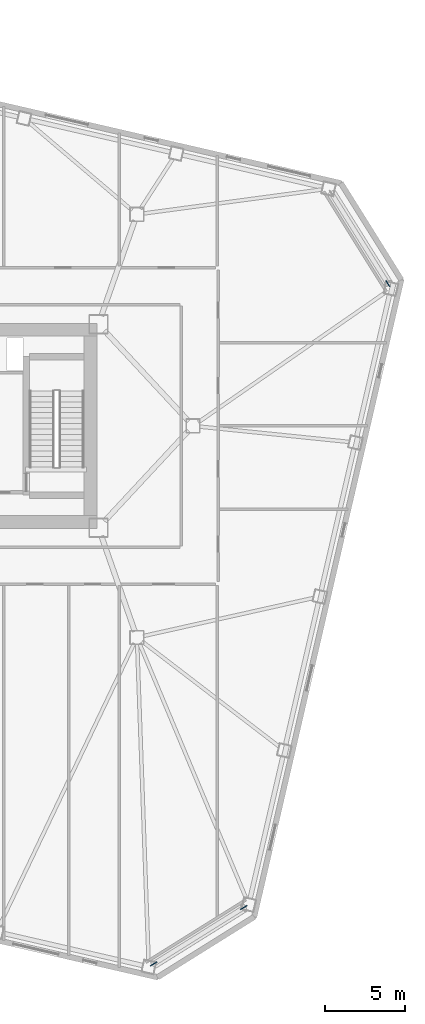
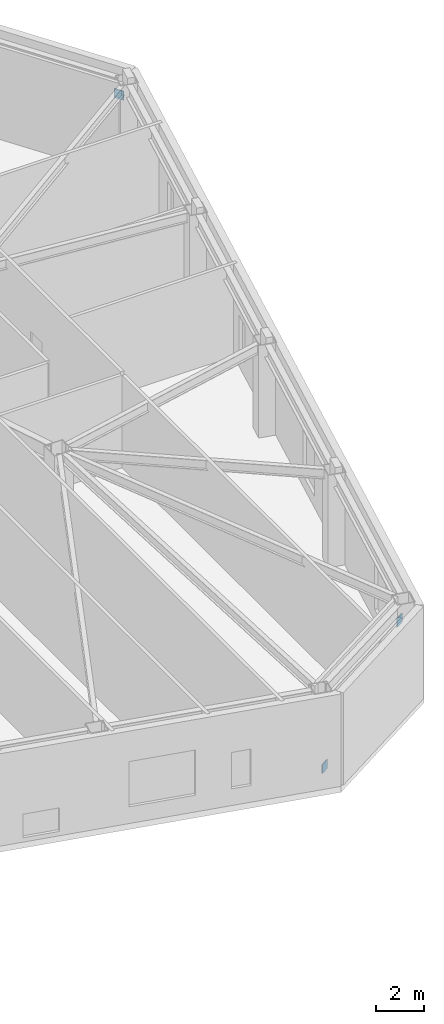
# One storey, part 17 of 20: 3 discrete accessories.
"""IFC4 building model written with IfcOpenShell, lengths in metres."""

from ifc_helpers import new_model, si_unit, direction, frame, origin, origin_2d, place, context, subcontext, project, spatial, rectangle, extrude, material, type_object, element, save


model = new_model("IFC4")

# Units and contexts
model_context = context("Model", 3, precision=1e-05, world=origin(), true_north=direction((0.0, 1.0)))
body_context = subcontext(model_context, "Body", "Model", "MODEL_VIEW")
ifc_project = project(units=[si_unit("LENGTHUNIT", "METRE"), si_unit("AREAUNIT", "SQUARE_METRE"), si_unit("VOLUMEUNIT", "CUBIC_METRE"), si_unit("PLANEANGLEUNIT", "RADIAN"), si_unit("MASSUNIT", "GRAM", prefix="KILO")], contexts=[model_context])

# Site, building, storey
site_placement = place(None, origin())
site = spatial("IfcSite", under=ifc_project, at=site_placement, CompositionType="ELEMENT")
building_placement = place(site_placement, origin())
building = spatial("IfcBuilding", under=site, at=building_placement, Name="Tavrogorsk Clinical Tower", CompositionType="ELEMENT")
storey_placement = place(building_placement, frame((0.0, 0.0, 18.39990234375)))
storey = spatial("IfcBuildingStorey", under=building, at=storey_placement, Name="L03", CompositionType="ELEMENT", Elevation=18.39990234375)

# Discrete accessories
ifc_material = material(Name="Structural steel S440", Category="steel")
discrete_accessory_type = type_object("IfcDiscreteAccessoryType", Name="GussetPlateBracket_25", PredefinedType="BRACKET", material=ifc_material)
for number, where, z_axis, x_axis, name in (
    (1, (25.548828125, -33.5634765625, 0.25341796875), (0.0, 0.0, 1.0), (0.848048096156, 0.529919264233, 0.0), "L03 Brace Gusset Plate EXOCRN-L03-1-A"),
    (2, (31.1669921875, -30.052734375, 3.586669921875), (0.0, 0.0, 1.0), (0.848048096156, 0.529919264233, 0.0), "L03 Brace Gusset Plate EXOCRN-L03-1-B"),
    (3, (40.1552734375, 8.878662109375, 3.586669921875), (0.0, 0.0, 1.0), (0.529919264233, -0.848048096156, 0.0), "L03 Brace Gusset Plate EXOCRN-L03-2-B"),
):
    element("IfcDiscreteAccessory", number, at=place(storey_placement, frame(where, z_axis=z_axis, x_axis=x_axis)), inside=storey, type_object=discrete_accessory_type, Name=name, PredefinedType="BRACKET", context=body_context, shape_type="SweptSolid", body=[
        extrude(rectangle(XDim=0.4599609375, YDim=0.0400390625, at=origin_2d()), origin(), (0.0, 0.0, 1.0), 0.4599609375),
    ])

save(model, "model.ifc")
